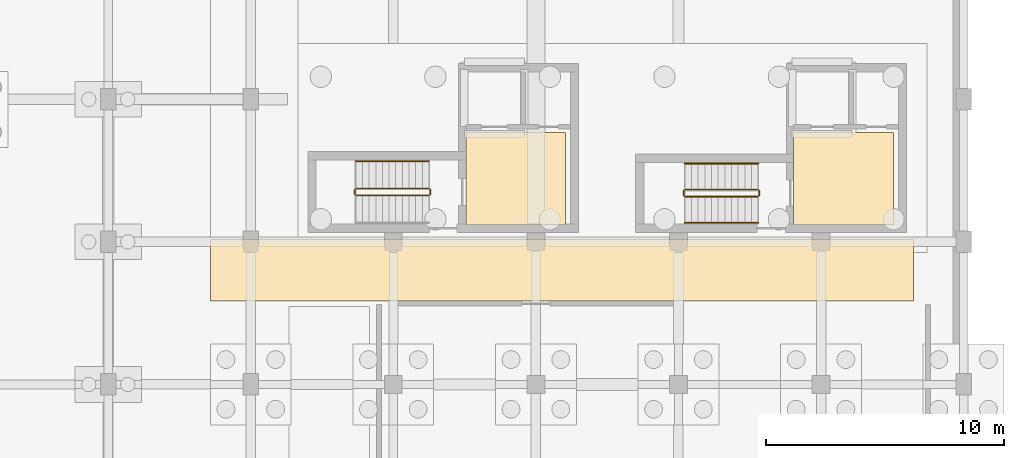
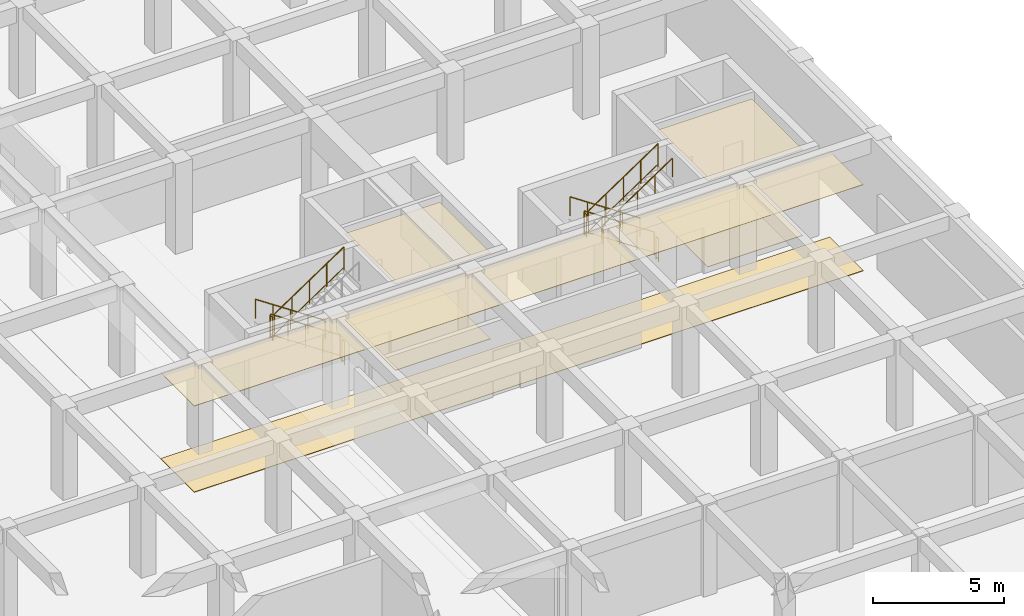
# One storey, part 41 of 41: 11 railings, 6 coverings.
"""IFC4 building model written with IfcOpenShell, lengths in metres."""

from ifc_helpers import new_model, si_unit, direction, frame, origin, origin_2d, place, context, subcontext, project, spatial, polyline, circle, outline, extrude, material, layer, layer_set, type_object, element, save


model = new_model("IFC4")

# Units and contexts
model_context = context("Model", 3, precision=1e-05, world=origin(), true_north=direction((0.0, 1.0)))
body_context = subcontext(model_context, "Body", "Model", "MODEL_VIEW")
ifc_project = project(units=[si_unit("LENGTHUNIT", "METRE"), si_unit("AREAUNIT", "SQUARE_METRE"), si_unit("VOLUMEUNIT", "CUBIC_METRE"), si_unit("PLANEANGLEUNIT", "RADIAN"), si_unit("MASSUNIT", "GRAM", prefix="KILO"), si_unit("POWERUNIT", "WATT"), si_unit("THERMODYNAMICTEMPERATUREUNIT", "KELVIN")], contexts=[model_context])

# Site, building, storey
site_placement = place(None, origin())
site = spatial("IfcSite", under=ifc_project, at=site_placement, CompositionType="ELEMENT")
building_placement = place(site_placement, origin())
building = spatial("IfcBuilding", under=site, at=building_placement, Name="Ruvembo Vaulted Housing Court", CompositionType="ELEMENT")
storey_placement = place(building_placement, frame((0.0, 0.0, -4.5)))
storey = spatial("IfcBuildingStorey", under=building, at=storey_placement, Name="B1", CompositionType="ELEMENT", Elevation=-4.5)

# Coverings
ifc_material_1 = material(Name="Perforated Mineral-Fibre Acoustic Tile", Category="gypsum")
ifc_layer_1 = layer(ifc_material_1, 0.02001953125, Name="Perforated Mineral-Fibre Acoustic Tile")
ifc_layer_set_1 = layer_set([ifc_layer_1], Name="Perforated Mineral-Fibre Acoustic Tile")
covering_type_1 = type_object("IfcCoveringType", Name="COV-CEIL-ACOUST", PredefinedType="CEILING", material=ifc_layer_set_1)
covering_1_placement = place(storey_placement, frame((0.0, 0.0, 4.02001953125)))
element("IfcCovering", 1, at=covering_1_placement, inside=storey, type_object=covering_type_1, Name="Protected Core Lobby D1 Ceiling", PredefinedType="CEILING", context=body_context, shape_type="SweptSolid", body=[
    extrude(outline(polyline([(169.25, 88.60009765625), (165.050048828125, 88.60009765625), (165.050048828125, 84.699951171875), (169.25, 84.699951171875), (169.25, 88.60009765625)])), origin(), (0.0, 0.0, 1.0), 0.02001953125),
])
covering_2_placement = place(storey_placement, frame((0.0, 0.0, 4.02001953125)))
element("IfcCovering", 2, at=covering_2_placement, inside=storey, type_object=covering_type_1, Name="Protected Core Lobby D2 Ceiling", PredefinedType="CEILING", context=body_context, shape_type="SweptSolid", body=[
    extrude(outline(polyline([(183.050048828125, 88.60009765625), (178.85009765625, 88.60009765625), (178.85009765625, 84.699951171875), (183.050048828125, 84.699951171875), (183.050048828125, 88.60009765625)])), origin(), (0.0, 0.0, 1.0), 0.02001953125),
])
covering_3_placement = place(storey_placement, frame((0.0, 0.0, 4.02001953125)))
element("IfcCovering", 3, at=covering_3_placement, inside=storey, type_object=covering_type_1, Name="Basement Block D Core Corridor Ceiling", PredefinedType="CEILING", context=body_context, shape_type="SweptSolid", body=[
    extrude(outline(polyline([(154.31005859375, 81.510009765625), (183.889892578125, 81.510009765625), (183.889892578125, 84.090087890625), (154.31005859375, 84.090087890625), (154.31005859375, 81.510009765625)])), origin(), (0.0, 0.0, 1.0), 0.02001953125),
])
ifc_material_2 = material(Name="Polished Cement-Aggregate Terrazzo", Category="stone")
ifc_layer_2 = layer(ifc_material_2, 0.02197265625, Name="Polished Cement-Aggregate Terrazzo")
ifc_layer_set_2 = layer_set([ifc_layer_2], Name="Polished Cement-Aggregate Terrazzo")
covering_type_2 = type_object("IfcCoveringType", Name="COV-FLR-CERAMIC", PredefinedType="FLOORING", material=ifc_layer_set_2)
covering_4_placement = place(storey_placement, origin())
element("IfcCovering", 4, at=covering_4_placement, inside=storey, type_object=covering_type_2, Name="Protected Core Lobby D1 Flooring", PredefinedType="FLOORING", context=body_context, shape_type="SweptSolid", body=[
    extrude(outline(polyline([(169.25, 88.60009765625), (165.050048828125, 88.60009765625), (165.050048828125, 84.699951171875), (169.25, 84.699951171875), (169.25, 88.60009765625)])), origin(), (0.0, 0.0, 1.0), 0.02197265625),
])
covering_5_placement = place(storey_placement, origin())
element("IfcCovering", 5, at=covering_5_placement, inside=storey, type_object=covering_type_2, Name="Protected Core Lobby D2 Flooring", PredefinedType="FLOORING", context=body_context, shape_type="SweptSolid", body=[
    extrude(outline(polyline([(183.050048828125, 88.60009765625), (178.85009765625, 88.60009765625), (178.85009765625, 84.699951171875), (183.050048828125, 84.699951171875), (183.050048828125, 88.60009765625)])), origin(), (0.0, 0.0, 1.0), 0.02197265625),
])
covering_6_placement = place(storey_placement, origin())
element("IfcCovering", 6, at=covering_6_placement, inside=storey, type_object=covering_type_2, Name="Basement Block D Core Corridor Flooring", PredefinedType="FLOORING", context=body_context, shape_type="SweptSolid", body=[
    extrude(outline(polyline([(154.31005859375, 81.510009765625), (183.889892578125, 81.510009765625), (183.889892578125, 84.090087890625), (154.31005859375, 84.090087890625), (154.31005859375, 81.510009765625)])), origin(), (0.0, 0.0, 1.0), 0.02197265625),
])

# Railings
ifc_material_3 = material(Name="Painted Galvanised Steel S275", Category="steel")
ifc_layer_3 = layer(ifc_material_3, 0.06005859375, Name="Painted Galvanised Steel S275")
ifc_layer_set_3 = layer_set([ifc_layer_3], Name="Painted Galvanised Steel S275")
railing_type_1 = type_object("IfcRailingType", Name="RL-STAIR-GR1100", PredefinedType="GUARDRAIL", material=ifc_layer_set_3)
railing_1_placement = place(storey_placement, frame((163.5, 86.25, 0.1875)))
element("IfcRailing", 7, at=railing_1_placement, inside=storey, type_object=railing_type_1, Name="B1 ST-D1 stair guard 1", PredefinedType="GUARDRAIL", context=body_context, shape_type="SweptSolid", body=[
    extrude(circle(Radius=0.02392578125, at=origin_2d()), frame((0.0, 0.0, 1.076171875), z_axis=(-0.830913701846, 0.0, 0.55640131208), x_axis=(0.0, -1.0, 0.0)), (0.0, 0.0, 1.0), 3.706787109375),
    extrude(circle(Radius=0.01806640625, at=origin_2d()), frame((0.0, 0.0, 0.1201171875), z_axis=(-0.830913701846, 0.0, 0.55640131208), x_axis=(0.0, -1.0, 0.0)), (0.0, 0.0, 1.0), 3.706787109375),
    extrude(circle(Radius=0.02099609375, at=origin_2d()), origin(), (0.0, 0.0, 1.0), 1.052001953125),
    extrude(circle(Radius=0.02099609375, at=origin_2d()), frame((-0.77001953125, 0.0, 0.515625)), (0.0, 0.0, 1.0), 1.052001953125),
    extrude(circle(Radius=0.02099609375, at=origin_2d()), frame((-1.5400390625, 0.0, 1.03125)), (0.0, 0.0, 1.0), 1.052001953125),
    extrude(circle(Radius=0.02099609375, at=origin_2d()), frame((-2.31005859375, 0.0, 1.546875)), (0.0, 0.0, 1.0), 1.052001953125),
    extrude(circle(Radius=0.02099609375, at=origin_2d()), frame((-3.080078125, 0.0, 2.0625)), (0.0, 0.0, 1.0), 1.052001953125),
])
railing_2_placement = place(storey_placement, frame((160.3701171875, 86.199951171875, 2.25)))
element("IfcRailing", 8, at=railing_2_placement, inside=storey, type_object=railing_type_1, Name="B1 ST-D1 stair guard 2", PredefinedType="GUARDRAIL", context=body_context, shape_type="SweptSolid", body=[
    extrude(circle(Radius=0.02392578125, at=origin_2d()), frame((0.0, 0.0, 1.076171875), z_axis=(0.0, -1.0, 0.0), x_axis=(1.0, 0.0, 0.0)), (0.0, 0.0, 1.0), 0.199951171875),
    extrude(circle(Radius=0.01806640625, at=origin_2d()), frame((0.0, 0.0, 0.1201171875), z_axis=(0.0, -1.0, 0.0), x_axis=(1.0, 0.0, 0.0)), (0.0, 0.0, 1.0), 0.199951171875),
    extrude(circle(Radius=0.02099609375, at=origin_2d()), origin(), (0.0, 0.0, 1.0), 1.052001953125),
    extrude(circle(Radius=0.02099609375, at=origin_2d()), frame((0.0, -0.199951171875, 0.0)), (0.0, 0.0, 1.0), 1.052001953125),
])
railing_3_placement = place(storey_placement, frame((160.419921875, 85.949951171875, 2.4375)))
element("IfcRailing", 9, at=railing_3_placement, inside=storey, type_object=railing_type_1, Name="B1 ST-D1 stair guard 3", PredefinedType="GUARDRAIL", context=body_context, shape_type="SweptSolid", body=[
    extrude(circle(Radius=0.02392578125, at=origin_2d()), frame((0.0, 0.0, 1.076171875), z_axis=(0.830913701846, 0.0, 0.55640131208), x_axis=(0.0, 1.0, 0.0)), (0.0, 0.0, 1.0), 3.706787109375),
    extrude(circle(Radius=0.01806640625, at=origin_2d()), frame((0.0, 0.0, 0.1201171875), z_axis=(0.830913701846, 0.0, 0.55640131208), x_axis=(0.0, 1.0, 0.0)), (0.0, 0.0, 1.0), 3.706787109375),
    extrude(circle(Radius=0.02099609375, at=origin_2d()), origin(), (0.0, 0.0, 1.0), 1.052001953125),
    extrude(circle(Radius=0.02099609375, at=origin_2d()), frame((0.77001953125, 0.0, 0.515625)), (0.0, 0.0, 1.0), 1.052001953125),
    extrude(circle(Radius=0.02099609375, at=origin_2d()), frame((1.5400390625, 0.0, 1.03125)), (0.0, 0.0, 1.0), 1.052001953125),
    extrude(circle(Radius=0.02099609375, at=origin_2d()), frame((2.31005859375, 0.0, 1.546875)), (0.0, 0.0, 1.0), 1.052001953125),
    extrude(circle(Radius=0.02099609375, at=origin_2d()), frame((3.080078125, 0.0, 2.0625)), (0.0, 0.0, 1.0), 1.052001953125),
])
railing_4_placement = place(storey_placement, frame((163.550048828125, 86.199951171875, 0.0)))
element("IfcRailing", 10, at=railing_4_placement, inside=storey, type_object=railing_type_1, Name="B1 ST-D1 stair guard 4", PredefinedType="GUARDRAIL", context=body_context, shape_type="SweptSolid", body=[
    extrude(circle(Radius=0.02392578125, at=origin_2d()), frame((0.0, 0.0, 1.076171875), z_axis=(0.0, -1.0, 0.0), x_axis=(1.0, 0.0, 0.0)), (0.0, 0.0, 1.0), 0.199951171875),
    extrude(circle(Radius=0.01806640625, at=origin_2d()), frame((0.0, 0.0, 0.1201171875), z_axis=(0.0, -1.0, 0.0), x_axis=(1.0, 0.0, 0.0)), (0.0, 0.0, 1.0), 0.199951171875),
    extrude(circle(Radius=0.02099609375, at=origin_2d()), origin(), (0.0, 0.0, 1.0), 1.052001953125),
    extrude(circle(Radius=0.02099609375, at=origin_2d()), frame((0.0, -0.199951171875, 0.0)), (0.0, 0.0, 1.0), 1.052001953125),
])
railing_5_placement = place(storey_placement, frame((177.35009765625, 86.199951171875, 0.1875)))
element("IfcRailing", 11, at=railing_5_placement, inside=storey, type_object=railing_type_1, Name="B1 ST-D2 stair guard 1", PredefinedType="GUARDRAIL", context=body_context, shape_type="SweptSolid", body=[
    extrude(circle(Radius=0.02392578125, at=origin_2d()), frame((0.0, 0.0, 1.076171875), z_axis=(-0.830913701846, 0.0, 0.55640131208), x_axis=(0.0, -1.0, 0.0)), (0.0, 0.0, 1.0), 3.706787109375),
    extrude(circle(Radius=0.01806640625, at=origin_2d()), frame((0.0, 0.0, 0.1201171875), z_axis=(-0.830913701846, 0.0, 0.55640131208), x_axis=(0.0, -1.0, 0.0)), (0.0, 0.0, 1.0), 3.706787109375),
    extrude(circle(Radius=0.02099609375, at=origin_2d()), origin(), (0.0, 0.0, 1.0), 1.052001953125),
    extrude(circle(Radius=0.02099609375, at=origin_2d()), frame((-0.77001953125, 0.0, 0.515625)), (0.0, 0.0, 1.0), 1.052001953125),
    extrude(circle(Radius=0.02099609375, at=origin_2d()), frame((-1.5400390625, 0.0, 1.03125)), (0.0, 0.0, 1.0), 1.052001953125),
    extrude(circle(Radius=0.02099609375, at=origin_2d()), frame((-2.31005859375, 0.0, 1.546875)), (0.0, 0.0, 1.0), 1.052001953125),
    extrude(circle(Radius=0.02099609375, at=origin_2d()), frame((-3.080078125, 0.0, 2.0625)), (0.0, 0.0, 1.0), 1.052001953125),
])
railing_6_placement = place(storey_placement, frame((174.219970703125, 86.14990234375, 2.25)))
element("IfcRailing", 12, at=railing_6_placement, inside=storey, type_object=railing_type_1, Name="B1 ST-D2 stair guard 2", PredefinedType="GUARDRAIL", context=body_context, shape_type="SweptSolid", body=[
    extrude(circle(Radius=0.02392578125, at=origin_2d()), frame((0.0, 0.0, 1.076171875), z_axis=(0.0, -1.0, 0.0), x_axis=(1.0, 0.0, 0.0)), (0.0, 0.0, 1.0), 0.199951171875),
    extrude(circle(Radius=0.01806640625, at=origin_2d()), frame((0.0, 0.0, 0.1201171875), z_axis=(0.0, -1.0, 0.0), x_axis=(1.0, 0.0, 0.0)), (0.0, 0.0, 1.0), 0.199951171875),
    extrude(circle(Radius=0.02099609375, at=origin_2d()), origin(), (0.0, 0.0, 1.0), 1.052001953125),
    extrude(circle(Radius=0.02099609375, at=origin_2d()), frame((0.0, -0.199951171875, 0.0)), (0.0, 0.0, 1.0), 1.052001953125),
])
railing_7_placement = place(storey_placement, frame((174.27001953125, 85.89990234375, 2.4375)))
element("IfcRailing", 13, at=railing_7_placement, inside=storey, type_object=railing_type_1, Name="B1 ST-D2 stair guard 3", PredefinedType="GUARDRAIL", context=body_context, shape_type="SweptSolid", body=[
    extrude(circle(Radius=0.02392578125, at=origin_2d()), frame((0.0, 0.0, 1.076171875), z_axis=(0.830913701846, 0.0, 0.55640131208), x_axis=(0.0, 1.0, 0.0)), (0.0, 0.0, 1.0), 3.706787109375),
    extrude(circle(Radius=0.01806640625, at=origin_2d()), frame((0.0, 0.0, 0.1201171875), z_axis=(0.830913701846, 0.0, 0.55640131208), x_axis=(0.0, 1.0, 0.0)), (0.0, 0.0, 1.0), 3.706787109375),
    extrude(circle(Radius=0.02099609375, at=origin_2d()), origin(), (0.0, 0.0, 1.0), 1.052001953125),
    extrude(circle(Radius=0.02099609375, at=origin_2d()), frame((0.77001953125, 0.0, 0.515625)), (0.0, 0.0, 1.0), 1.052001953125),
    extrude(circle(Radius=0.02099609375, at=origin_2d()), frame((1.5400390625, 0.0, 1.03125)), (0.0, 0.0, 1.0), 1.052001953125),
    extrude(circle(Radius=0.02099609375, at=origin_2d()), frame((2.31005859375, 0.0, 1.546875)), (0.0, 0.0, 1.0), 1.052001953125),
    extrude(circle(Radius=0.02099609375, at=origin_2d()), frame((3.080078125, 0.0, 2.0625)), (0.0, 0.0, 1.0), 1.052001953125),
])
railing_8_placement = place(storey_placement, frame((177.39990234375, 86.14990234375, 0.0)))
element("IfcRailing", 14, at=railing_8_placement, inside=storey, type_object=railing_type_1, Name="B1 ST-D2 stair guard 4", PredefinedType="GUARDRAIL", context=body_context, shape_type="SweptSolid", body=[
    extrude(circle(Radius=0.02392578125, at=origin_2d()), frame((0.0, 0.0, 1.076171875), z_axis=(0.0, -1.0, 0.0), x_axis=(1.0, 0.0, 0.0)), (0.0, 0.0, 1.0), 0.199951171875),
    extrude(circle(Radius=0.01806640625, at=origin_2d()), frame((0.0, 0.0, 0.1201171875), z_axis=(0.0, -1.0, 0.0), x_axis=(1.0, 0.0, 0.0)), (0.0, 0.0, 1.0), 0.199951171875),
    extrude(circle(Radius=0.02099609375, at=origin_2d()), origin(), (0.0, 0.0, 1.0), 1.052001953125),
    extrude(circle(Radius=0.02099609375, at=origin_2d()), frame((0.0, -0.199951171875, 0.0)), (0.0, 0.0, 1.0), 1.052001953125),
])
ifc_material_4 = material(Name="Brushed Stainless Steel 304", Category="steel")
ifc_layer_4 = layer(ifc_material_4, 0.050048828125, Name="Brushed Stainless Steel 304")
ifc_layer_set_4 = layer_set([ifc_layer_4], Name="Brushed Stainless Steel 304")
railing_type_2 = type_object("IfcRailingType", Name="RL-STAIR-HR920", PredefinedType="HANDRAIL", material=ifc_layer_set_4)
for number, where, name in (
    (15, (163.5, 87.39990234375, 0.379150390625), "B1 ST-D1 stair handrail 1"),
    (16, (177.35009765625, 87.300048828125, 0.379150390625), "B1 ST-D2 stair handrail 1"),
):
    element("IfcRailing", number, at=place(storey_placement, frame(where)), inside=storey, type_object=railing_type_2, Name=name, PredefinedType="HANDRAIL", context=body_context, shape_type="SweptSolid", body=[
        extrude(circle(Radius=0.02392578125, at=origin_2d()), frame((0.0, 0.0, 0.8759765625), z_axis=(-0.830913701846, 0.0, 0.55640131208), x_axis=(0.0, -1.0, 0.0)), (0.0, 0.0, 1.0), 3.706787109375),
        extrude(circle(Radius=0.02099609375, at=origin_2d()), origin(), (0.0, 0.0, 1.0), 0.851806640625),
        extrude(circle(Radius=0.02099609375, at=origin_2d()), frame((-0.77001953125, 0.0, 0.515625)), (0.0, 0.0, 1.0), 0.851806640625),
        extrude(circle(Radius=0.02099609375, at=origin_2d()), frame((-1.5400390625, 0.0, 1.03125)), (0.0, 0.0, 1.0), 0.851806640625),
        extrude(circle(Radius=0.02099609375, at=origin_2d()), frame((-2.31005859375, 0.0, 1.546875)), (0.0, 0.0, 1.0), 0.851806640625),
        extrude(circle(Radius=0.02099609375, at=origin_2d()), frame((-3.080078125, 0.0, 2.0625)), (0.0, 0.0, 1.0), 0.851806640625),
    ])
railing_9_placement = place(storey_placement, frame((174.27001953125, 84.800048828125, 2.629150390625)))
element("IfcRailing", 17, at=railing_9_placement, inside=storey, type_object=railing_type_2, Name="B1 ST-D2 stair handrail 2", PredefinedType="HANDRAIL", context=body_context, shape_type="SweptSolid", body=[
    extrude(circle(Radius=0.02392578125, at=origin_2d()), frame((0.0, 0.0, 0.8759765625), z_axis=(0.830913701846, 0.0, 0.55640131208), x_axis=(0.0, 1.0, 0.0)), (0.0, 0.0, 1.0), 3.706787109375),
    extrude(circle(Radius=0.02099609375, at=origin_2d()), origin(), (0.0, 0.0, 1.0), 0.851806640625),
    extrude(circle(Radius=0.02099609375, at=origin_2d()), frame((0.77001953125, 0.0, 0.515625)), (0.0, 0.0, 1.0), 0.851806640625),
    extrude(circle(Radius=0.02099609375, at=origin_2d()), frame((1.5400390625, 0.0, 1.03125)), (0.0, 0.0, 1.0), 0.851806640625),
    extrude(circle(Radius=0.02099609375, at=origin_2d()), frame((2.31005859375, 0.0, 1.546875)), (0.0, 0.0, 1.0), 0.851806640625),
    extrude(circle(Radius=0.02099609375, at=origin_2d()), frame((3.080078125, 0.0, 2.0625)), (0.0, 0.0, 1.0), 0.851806640625),
])

save(model, "model.ifc")
